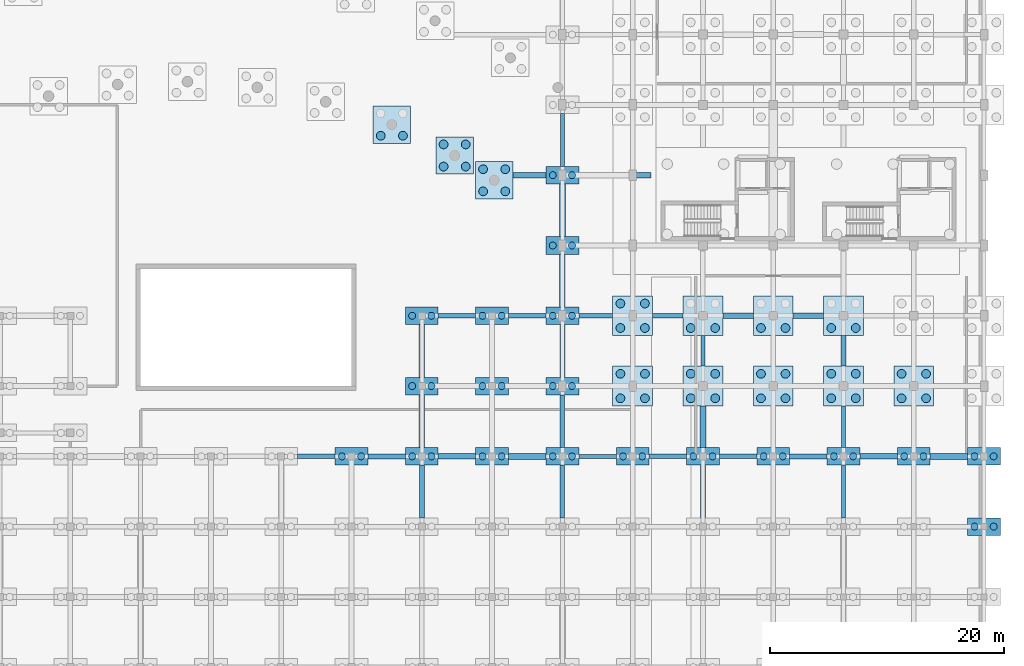
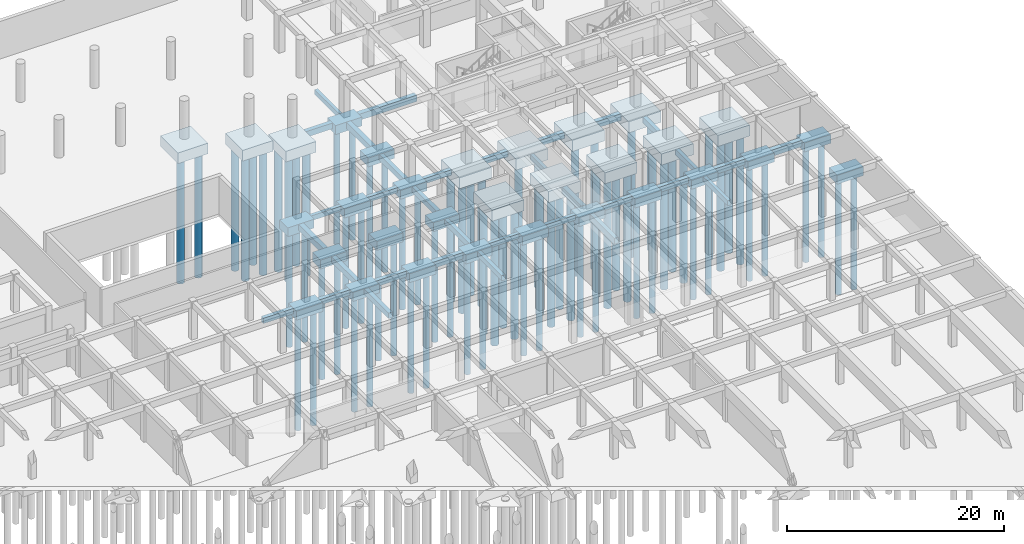
# One storey, part 12 of 41: 78 piles, 64 footings.
"""IFC4 building model written with IfcOpenShell, lengths in metres."""

import ifcopenshell
import ifcopenshell.guid

model = None  # the IFC model being written
_history = None  # IfcOwnerHistory: only IFC2X3 demands one
_inside = {}  # id of a spatial element -> (the spatial element, [elements in it])
_under = {}  # id of a project, library or spatial element -> (it, [spatial elements below it])
_declared = {}  # id of a project -> (the project, [libraries it declares])
_typed = {}  # id of a type object -> (the type object, [elements of that type])
_made_of = {}  # id of a material, layer set ... -> (it, [elements and type objects made of it])


def new_model(schema):
    """Start an empty IFC model of exactly this schema.

    Asked for "IFC4X3", IfcOpenShell would pick the latest addendum, in which some entities
    have other attributes; the version numbers below select the first issue.
    IFC2X3 requires an IfcOwnerHistory on every rooted entity: one is made here for all.
    """
    global model, _history
    if schema == "IFC4X3":
        model = ifcopenshell.file(schema_version=(4, 3, 0, 0))
    else:
        model = ifcopenshell.file(schema=schema)
    _inside.clear()
    _under.clear()
    _declared.clear()
    _typed.clear()
    _made_of.clear()
    _history = None
    if model.schema == "IFC2X3":
        org = make("IfcOrganization", Name="unknown")
        user = make(
            "IfcPersonAndOrganization",
            ThePerson=make("IfcPerson", FamilyName="unknown"),
            TheOrganization=org,
        )
        app = make(
            "IfcApplication",
            ApplicationDeveloper=org,
            Version="unknown",
            ApplicationFullName="unknown",
            ApplicationIdentifier="unknown",
        )
        _history = make(
            "IfcOwnerHistory",
            OwningUser=user,
            OwningApplication=app,
            ChangeAction="ADDED",
            CreationDate=0,
        )
    return model


def make(cls, **values):
    """One entity of the class cls with the attributes given. An attribute that is None is left unset."""
    return model.create_entity(
        cls, **{name: value for name, value in values.items() if value is not None}
    )


def rooted(cls, **values):
    """An entity with a GlobalId (a new one), such as an element, a storey or a relation."""
    return make(cls, GlobalId=ifcopenshell.guid.new(), OwnerHistory=_history, **values)


def si_unit(unit_type, name, prefix=None):
    """IfcSIUnit, for example si_unit("LENGTHUNIT", "METRE", prefix="MILLI")."""
    return make("IfcSIUnit", UnitType=unit_type, Prefix=prefix, Name=name)


def assignment(units):
    """IfcUnitAssignment: the units of a project."""
    return None if units is None else make("IfcUnitAssignment", Units=units)


def point(xyz):
    """IfcCartesianPoint."""
    return None if xyz is None else make("IfcCartesianPoint", Coordinates=xyz)


def direction(xyz):
    """IfcDirection."""
    return None if xyz is None else make("IfcDirection", DirectionRatios=xyz)


def frame(location, z_axis=None, x_axis=None):
    """IfcAxis2Placement3D, a coordinate frame: its origin and axes. An axis left out is left unset."""
    return make(
        "IfcAxis2Placement3D",
        Location=point(location),
        Axis=direction(z_axis),
        RefDirection=direction(x_axis),
    )


def frame_2d(location, x_axis=None):
    """IfcAxis2Placement2D, a coordinate frame in the plane: its origin and x axis."""
    return make(
        "IfcAxis2Placement2D", Location=point(location), RefDirection=direction(x_axis)
    )


def origin():
    """The frame at (0, 0, 0) with its axes left unset."""
    return frame((0.0, 0.0, 0.0))


def origin_2d():
    """The frame at (0, 0) in the plane with its x axis left unset."""
    return frame_2d((0.0, 0.0))


def place(relative_to, where):
    """IfcLocalPlacement: puts the frame where relative to a parent placement (None: the world)."""
    return make(
        "IfcLocalPlacement", PlacementRelTo=relative_to, RelativePlacement=where
    )


def context(
    kind, dimensions, precision=None, world=None, true_north=None, identifier=None
):
    """IfcGeometricRepresentationContext, for example the 3D "Model" context."""
    return make(
        "IfcGeometricRepresentationContext",
        ContextIdentifier=identifier,
        ContextType=kind,
        CoordinateSpaceDimension=dimensions,
        Precision=precision,
        WorldCoordinateSystem=world,
        TrueNorth=true_north,
    )


def subcontext(parent, identifier, kind, view, scale=None):
    """IfcGeometricRepresentationSubContext, for example "Body" below "Model"."""
    return make(
        "IfcGeometricRepresentationSubContext",
        ContextIdentifier=identifier,
        ContextType=kind,
        ParentContext=parent,
        TargetScale=scale,
        TargetView=view,
    )


def project(units=None, contexts=None):
    """IfcProject with its units and contexts."""
    return rooted(
        "IfcProject",
        Name="project",
        RepresentationContexts=contexts,
        UnitsInContext=assignment(units),
    )


def spatial(cls, under=None, at=None, **own):
    """A site, building, storey or space (cls), placed at a placement, below another one or the project."""
    s = rooted(cls, ObjectPlacement=at, **own)
    if under is not None:
        _under.setdefault(under.id(), (under, []))[1].append(s)
    return s


def polyline(points):
    """IfcPolyline through the points."""
    return make("IfcPolyline", Points=[point(p) for p in points])


def profile(cls, at=None, kind="AREA", **sizes):
    """A parametric profile (cls). Its sizes go by their IFC names, for example OverallWidth=200.0."""
    return make(cls, ProfileType=kind, Position=at, **sizes)


def rectangle(**sizes):
    """IfcRectangleProfileDef."""
    return profile("IfcRectangleProfileDef", **sizes)


def circle(**sizes):
    """IfcCircleProfileDef."""
    return profile("IfcCircleProfileDef", **sizes)


def outline(outer, holes=None, kind="AREA"):
    """IfcArbitraryClosedProfileDef: a profile drawn as a closed curve; with holes, ...WithVoids."""
    if holes is None:
        return make("IfcArbitraryClosedProfileDef", ProfileType=kind, OuterCurve=outer)
    return make(
        "IfcArbitraryProfileDefWithVoids",
        ProfileType=kind,
        OuterCurve=outer,
        InnerCurves=holes,
    )


def extrude(swept, where, along, depth):
    """IfcExtrudedAreaSolid: the profile swept, set in the frame where, extruded along a direction by depth."""
    return make(
        "IfcExtrudedAreaSolid",
        SweptArea=swept,
        Position=where,
        ExtrudedDirection=direction(along),
        Depth=depth,
    )


def shape(context_of_items, identifier, shape_type, items):
    """IfcShapeRepresentation: the items that make up one representation, for example the "Body"."""
    return make(
        "IfcShapeRepresentation",
        ContextOfItems=context_of_items,
        RepresentationIdentifier=identifier,
        RepresentationType=shape_type,
        Items=items,
    )


def material(Name=None, Category=None):
    """IfcMaterial."""
    return make("IfcMaterial", Name=Name, Category=Category)


def material_profile(
    of_material, cross_section, Name=None, Category=None, Priority=None
):
    """IfcMaterialProfile: a cross section and its material."""
    return make(
        "IfcMaterialProfile",
        Name=Name,
        Material=of_material,
        Profile=cross_section,
        Priority=Priority,
        Category=Category,
    )


def profile_set(profiles, Name=None, composite=None):
    """IfcMaterialProfileSet."""
    return make(
        "IfcMaterialProfileSet",
        Name=Name,
        MaterialProfiles=profiles,
        CompositeProfile=composite,
    )


def made_of(thing, what):
    """Note that an element or type object is made of a material, layer set ...; save() writes the relation."""
    if what is not None:
        _made_of.setdefault(what.id(), (what, []))[1].append(thing)
    return thing


def type_object(cls, material=None, **own):
    """A type object (cls), such as IfcWallType, which elements share."""
    return made_of(rooted(cls, **own), material)


def element(
    cls,
    number,
    at=None,
    inside=None,
    cuts=None,
    type_object=None,
    material=None,
    context=None,
    identifier="Body",
    shape_type=None,
    held_by="IfcProductDefinitionShape",
    body=None,
    shapes=None,
    **own,
):
    """One element of the class cls, such as IfcWall. Its Tag is "e" and its number.

    at: its placement. inside: the storey or other place that contains it. cuts: it is an
    opening in that element (IfcRelVoidsElement). A single representation is given by context,
    identifier, shape_type and body (its items); several are given by shapes. held_by: the class
    of the entity that holds the representations. save() writes the other relations.
    """
    e = rooted(cls, Tag="e%d" % number, ObjectPlacement=at, **own)
    if body is not None:
        shapes = [shape(context, identifier, shape_type, body)]
    if shapes is not None:
        e.Representation = make(held_by, Representations=shapes)
    if inside is not None:
        _inside.setdefault(inside.id(), (inside, []))[1].append(e)
    if cuts is not None:
        rooted(
            "IfcRelVoidsElement", RelatingBuildingElement=cuts, RelatedOpeningElement=e
        )
    if type_object is not None:
        _typed.setdefault(type_object.id(), (type_object, []))[1].append(e)
    return made_of(e, material)


def aggregate(whole, parts):
    """IfcRelAggregates: a whole, such as a stair, and the parts it consists of."""
    return rooted("IfcRelAggregates", RelatingObject=whole, RelatedObjects=parts)


def save(model, path):
    """Write the relations noted so far, then the file.

    IfcRelAggregates (storeys below a building ...), IfcRelContainedInSpatialStructure (elements
    in a storey), IfcRelDefinesByType, IfcRelAssociatesMaterial and IfcRelDeclares: one each for
    every whole, place, type object, material and project.
    """
    for whole, parts in _under.values():
        aggregate(whole, parts)
    for where, things in _inside.values():
        rooted(
            "IfcRelContainedInSpatialStructure",
            RelatedElements=things,
            RelatingStructure=where,
        )
    for kind, things in _typed.values():
        rooted("IfcRelDefinesByType", RelatedObjects=things, RelatingType=kind)
    for what, things in _made_of.values():
        rooted("IfcRelAssociatesMaterial", RelatedObjects=things, RelatingMaterial=what)
    for by, libraries in _declared.values():
        rooted("IfcRelDeclares", RelatingContext=by, RelatedDefinitions=libraries)
    model.write(path)


model = new_model("IFC4")

# Units and contexts
model_context = context("Model", 3, precision=1e-05, world=origin(), true_north=direction((0.0, 1.0)))
body_context = subcontext(model_context, "Body", "Model", "MODEL_VIEW")
ifc_project = project(units=[si_unit("LENGTHUNIT", "METRE"), si_unit("AREAUNIT", "SQUARE_METRE"), si_unit("VOLUMEUNIT", "CUBIC_METRE"), si_unit("PLANEANGLEUNIT", "RADIAN"), si_unit("MASSUNIT", "GRAM", prefix="KILO"), si_unit("POWERUNIT", "WATT"), si_unit("THERMODYNAMICTEMPERATUREUNIT", "KELVIN")], contexts=[model_context])

# Site, building, storey
site_placement = place(None, origin())
site = spatial("IfcSite", under=ifc_project, at=site_placement, CompositionType="ELEMENT")
building_placement = place(site_placement, origin())
building = spatial("IfcBuilding", under=site, at=building_placement, Name="Ruvembo Vaulted Housing Court", CompositionType="ELEMENT")
storey_placement = place(building_placement, frame((0.0, 0.0, -4.5)))
storey = spatial("IfcBuildingStorey", under=building, at=storey_placement, Name="B1", CompositionType="ELEMENT", Elevation=-4.5)

# Footings
ifc_material_1 = material(Name="Concrete C30/37", Category="concrete")
footing_type_1 = type_object("IfcFootingType", Name="GB-350x550", PredefinedType="FOOTING_BEAM", material=ifc_material_1)
footing_1_placement = place(storey_placement, frame((0.0, 0.0, -0.85009765625)))
element("IfcFooting", 1, at=footing_1_placement, inside=storey, type_object=footing_type_1, Name="Ground Tie Beam GB-132", PredefinedType="FOOTING_BEAM", context=body_context, shape_type="SweptSolid", body=[
    extrude(outline(polyline([(151.39990234375, 65.824951171875), (154.60009765625, 65.824951171875), (154.60009765625, 66.175048828125), (151.39990234375, 66.175048828125), (151.39990234375, 65.824951171875)])), origin(), (0.0, 0.0, 1.0), 0.550048828125),
])
footing_2_placement = place(storey_placement, frame((0.0, 0.0, -0.85009765625)))
element("IfcFooting", 2, at=footing_2_placement, inside=storey, type_object=footing_type_1, Name="Ground Tie Beam GB-156", PredefinedType="FOOTING_BEAM", context=body_context, shape_type="SweptSolid", body=[
    extrude(outline(polyline([(139.39990234375, 77.824951171875), (142.60009765625, 77.824951171875), (142.60009765625, 78.175048828125), (139.39990234375, 78.175048828125), (139.39990234375, 77.824951171875)])), origin(), (0.0, 0.0, 1.0), 0.550048828125),
])
footing_3_placement = place(storey_placement, frame((0.0, 0.0, -0.85009765625)))
element("IfcFooting", 3, at=footing_3_placement, inside=storey, type_object=footing_type_1, Name="Ground Tie Beam GB-318", PredefinedType="FOOTING_BEAM", context=body_context, shape_type="SweptSolid", body=[
    extrude(outline(polyline([(149.824951171875, 90.75), (150.175048828125, 90.75), (150.175048828125, 95.25), (149.824951171875, 95.25), (149.824951171875, 90.75)])), origin(), (0.0, 0.0, 1.0), 0.550048828125),
])
footing_4_placement = place(storey_placement, frame((0.0, 0.0, -0.85009765625)))
element("IfcFooting", 4, at=footing_4_placement, inside=storey, type_object=footing_type_1, Name="Ground Tie Beam GB-330", PredefinedType="FOOTING_BEAM", context=body_context, shape_type="SweptSolid", body=[
    extrude(outline(polyline([(161.824951171875, 73.699951171875), (162.175048828125, 73.699951171875), (162.175048828125, 76.300048828125), (161.824951171875, 76.300048828125), (161.824951171875, 73.699951171875)])), origin(), (0.0, 0.0, 1.0), 0.550048828125),
])
footing_5_placement = place(storey_placement, frame((0.0, 0.0, -0.85009765625)))
element("IfcFooting", 5, at=footing_5_placement, inside=storey, type_object=footing_type_1, Name="Ground Tie Beam GB-342", PredefinedType="FOOTING_BEAM", context=body_context, shape_type="SweptSolid", body=[
    extrude(outline(polyline([(173.824951171875, 60.75), (174.175048828125, 60.75), (174.175048828125, 65.25), (173.824951171875, 65.25), (173.824951171875, 60.75)])), origin(), (0.0, 0.0, 1.0), 0.550048828125),
])
footing_type_2 = type_object("IfcFootingType", Name="GB-380x580", PredefinedType="FOOTING_BEAM", material=ifc_material_1)
footing_6_placement = place(storey_placement, frame((0.0, 0.0, -0.8798828125)))
element("IfcFooting", 6, at=footing_6_placement, inside=storey, type_object=footing_type_2, Name="Ground Tie Beam GB-133", PredefinedType="FOOTING_BEAM", context=body_context, shape_type="SweptSolid", body=[
    extrude(outline(polyline([(157.39990234375, 65.81005859375), (160.60009765625, 65.81005859375), (160.60009765625, 66.18994140625), (157.39990234375, 66.18994140625), (157.39990234375, 65.81005859375)])), origin(), (0.0, 0.0, 1.0), 0.579833984375),
])
footing_7_placement = place(storey_placement, frame((0.0, 0.0, -0.8798828125)))
element("IfcFooting", 7, at=footing_7_placement, inside=storey, type_object=footing_type_2, Name="Ground Tie Beam GB-157", PredefinedType="FOOTING_BEAM", context=body_context, shape_type="SweptSolid", body=[
    extrude(outline(polyline([(145.39990234375, 77.81005859375), (148.60009765625, 77.81005859375), (148.60009765625, 78.18994140625), (145.39990234375, 78.18994140625), (145.39990234375, 77.81005859375)])), origin(), (0.0, 0.0, 1.0), 0.579833984375),
])
footing_8_placement = place(storey_placement, frame((0.0, 0.0, -0.8798828125)))
element("IfcFooting", 8, at=footing_8_placement, inside=storey, type_object=footing_type_2, Name="Ground Tie Beam GB-313", PredefinedType="FOOTING_BEAM", context=body_context, shape_type="SweptSolid", body=[
    extrude(outline(polyline([(149.81005859375, 60.75), (150.18994140625, 60.75), (150.18994140625, 65.25), (149.81005859375, 65.25), (149.81005859375, 60.75)])), origin(), (0.0, 0.0, 1.0), 0.579833984375),
])
footing_9_placement = place(storey_placement, frame((0.0, 0.0, -0.8798828125)))
element("IfcFooting", 9, at=footing_9_placement, inside=storey, type_object=footing_type_2, Name="Ground Tie Beam GB-343", PredefinedType="FOOTING_BEAM", context=body_context, shape_type="SweptSolid", body=[
    extrude(outline(polyline([(173.81005859375, 66.75), (174.18994140625, 66.75), (174.18994140625, 70.300048828125), (173.81005859375, 70.300048828125), (173.81005859375, 66.75)])), origin(), (0.0, 0.0, 1.0), 0.579833984375),
])
footing_type_3 = type_object("IfcFootingType", Name="GB-400x600", PredefinedType="FOOTING_BEAM", material=ifc_material_1)
footing_10_placement = place(storey_placement, frame((0.0, 0.0, -0.89990234375)))
element("IfcFooting", 10, at=footing_10_placement, inside=storey, type_object=footing_type_3, Name="Ground Tie Beam GB-128", PredefinedType="FOOTING_BEAM", context=body_context, shape_type="SweptSolid", body=[
    extrude(outline(polyline([(127.39990234375, 65.800048828125), (130.60009765625, 65.800048828125), (130.60009765625, 66.199951171875), (127.39990234375, 66.199951171875), (127.39990234375, 65.800048828125)])), origin(), (0.0, 0.0, 1.0), 0.599853515625),
])
footing_11_placement = place(storey_placement, frame((0.0, 0.0, -0.89990234375)))
element("IfcFooting", 11, at=footing_11_placement, inside=storey, type_object=footing_type_3, Name="Ground Tie Beam GB-134", PredefinedType="FOOTING_BEAM", context=body_context, shape_type="SweptSolid", body=[
    extrude(outline(polyline([(163.39990234375, 65.800048828125), (166.60009765625, 65.800048828125), (166.60009765625, 66.199951171875), (163.39990234375, 66.199951171875), (163.39990234375, 65.800048828125)])), origin(), (0.0, 0.0, 1.0), 0.599853515625),
])
footing_12_placement = place(storey_placement, frame((0.0, 0.0, -0.89990234375)))
element("IfcFooting", 12, at=footing_12_placement, inside=storey, type_object=footing_type_3, Name="Ground Tie Beam GB-158", PredefinedType="FOOTING_BEAM", context=body_context, shape_type="SweptSolid", body=[
    extrude(outline(polyline([(151.39990234375, 77.800048828125), (154.300048828125, 77.800048828125), (154.300048828125, 78.199951171875), (151.39990234375, 78.199951171875), (151.39990234375, 77.800048828125)])), origin(), (0.0, 0.0, 1.0), 0.599853515625),
])
footing_13_placement = place(storey_placement, frame((0.0, 0.0, -0.89990234375)))
element("IfcFooting", 13, at=footing_13_placement, inside=storey, type_object=footing_type_3, Name="Ground Tie Beam GB-314", PredefinedType="FOOTING_BEAM", context=body_context, shape_type="SweptSolid", body=[
    extrude(outline(polyline([(149.800048828125, 66.75), (150.199951171875, 66.75), (150.199951171875, 71.25), (149.800048828125, 71.25), (149.800048828125, 66.75)])), origin(), (0.0, 0.0, 1.0), 0.599853515625),
])
footing_14_placement = place(storey_placement, frame((0.0, 0.0, -0.89990234375)))
element("IfcFooting", 14, at=footing_14_placement, inside=storey, type_object=footing_type_3, Name="Ground Tie Beam GB-344", PredefinedType="FOOTING_BEAM", context=body_context, shape_type="SweptSolid", body=[
    extrude(outline(polyline([(173.800048828125, 73.699951171875), (174.199951171875, 73.699951171875), (174.199951171875, 76.300048828125), (173.800048828125, 76.300048828125), (173.800048828125, 73.699951171875)])), origin(), (0.0, 0.0, 1.0), 0.599853515625),
])
footing_type_4 = type_object("IfcFootingType", Name="GB-420x620", PredefinedType="FOOTING_BEAM", material=ifc_material_1)
footing_15_placement = place(storey_placement, frame((0.0, 0.0, -0.919921875)))
element("IfcFooting", 15, at=footing_15_placement, inside=storey, type_object=footing_type_4, Name="Ground Tie Beam GB-129", PredefinedType="FOOTING_BEAM", context=body_context, shape_type="SweptSolid", body=[
    extrude(outline(polyline([(133.39990234375, 65.7900390625), (136.60009765625, 65.7900390625), (136.60009765625, 66.2099609375), (133.39990234375, 66.2099609375), (133.39990234375, 65.7900390625)])), origin(), (0.0, 0.0, 1.0), 0.619873046875),
])
footing_16_placement = place(storey_placement, frame((0.0, 0.0, -0.919921875)))
element("IfcFooting", 16, at=footing_16_placement, inside=storey, type_object=footing_type_4, Name="Ground Tie Beam GB-135", PredefinedType="FOOTING_BEAM", context=body_context, shape_type="SweptSolid", body=[
    extrude(outline(polyline([(169.39990234375, 65.7900390625), (172.60009765625, 65.7900390625), (172.60009765625, 66.2099609375), (169.39990234375, 66.2099609375), (169.39990234375, 65.7900390625)])), origin(), (0.0, 0.0, 1.0), 0.619873046875),
])
footing_17_placement = place(storey_placement, frame((0.0, 0.0, -0.919921875)))
element("IfcFooting", 17, at=footing_17_placement, inside=storey, type_object=footing_type_4, Name="Ground Tie Beam GB-159", PredefinedType="FOOTING_BEAM", context=body_context, shape_type="SweptSolid", body=[
    extrude(outline(polyline([(157.699951171875, 77.7900390625), (160.300048828125, 77.7900390625), (160.300048828125, 78.2099609375), (157.699951171875, 78.2099609375), (157.699951171875, 77.7900390625)])), origin(), (0.0, 0.0, 1.0), 0.619873046875),
])
footing_18_placement = place(storey_placement, frame((0.0, 0.0, -0.919921875)))
element("IfcFooting", 18, at=footing_18_placement, inside=storey, type_object=footing_type_4, Name="Ground Tie Beam GB-303", PredefinedType="FOOTING_BEAM", context=body_context, shape_type="SweptSolid", body=[
    extrude(outline(polyline([(137.7900390625, 60.75), (138.2099609375, 60.75), (138.2099609375, 65.25), (137.7900390625, 65.25), (137.7900390625, 60.75)])), origin(), (0.0, 0.0, 1.0), 0.619873046875),
])
footing_19_placement = place(storey_placement, frame((0.0, 0.0, -0.919921875)))
element("IfcFooting", 19, at=footing_19_placement, inside=storey, type_object=footing_type_4, Name="Ground Tie Beam GB-315", PredefinedType="FOOTING_BEAM", context=body_context, shape_type="SweptSolid", body=[
    extrude(outline(polyline([(149.7900390625, 72.75), (150.2099609375, 72.75), (150.2099609375, 77.25), (149.7900390625, 77.25), (149.7900390625, 72.75)])), origin(), (0.0, 0.0, 1.0), 0.619873046875),
])
footing_type_5 = type_object("IfcFootingType", Name="GB-450x650", PredefinedType="FOOTING_BEAM", material=ifc_material_1)
footing_20_placement = place(storey_placement, frame((0.0, 0.0, -0.949951171875)))
element("IfcFooting", 20, at=footing_20_placement, inside=storey, type_object=footing_type_5, Name="Ground Tie Beam GB-130", PredefinedType="FOOTING_BEAM", context=body_context, shape_type="SweptSolid", body=[
    extrude(outline(polyline([(139.39990234375, 65.77490234375), (142.60009765625, 65.77490234375), (142.60009765625, 66.22509765625), (139.39990234375, 66.22509765625), (139.39990234375, 65.77490234375)])), origin(), (0.0, 0.0, 1.0), 0.64990234375),
])
footing_21_placement = place(storey_placement, frame((0.0, 0.0, -0.949951171875)))
element("IfcFooting", 21, at=footing_21_placement, inside=storey, type_object=footing_type_5, Name="Ground Tie Beam GB-136", PredefinedType="FOOTING_BEAM", context=body_context, shape_type="SweptSolid", body=[
    extrude(outline(polyline([(175.39990234375, 65.77490234375), (178.60009765625, 65.77490234375), (178.60009765625, 66.22509765625), (175.39990234375, 66.22509765625), (175.39990234375, 65.77490234375)])), origin(), (0.0, 0.0, 1.0), 0.64990234375),
])
footing_22_placement = place(storey_placement, frame((0.0, 0.0, -0.949951171875)))
element("IfcFooting", 22, at=footing_22_placement, inside=storey, type_object=footing_type_5, Name="Ground Tie Beam GB-160", PredefinedType="FOOTING_BEAM", context=body_context, shape_type="SweptSolid", body=[
    extrude(outline(polyline([(163.699951171875, 77.77490234375), (166.300048828125, 77.77490234375), (166.300048828125, 78.22509765625), (163.699951171875, 78.22509765625), (163.699951171875, 77.77490234375)])), origin(), (0.0, 0.0, 1.0), 0.64990234375),
])
footing_23_placement = place(storey_placement, frame((0.0, 0.0, -0.949951171875)))
element("IfcFooting", 23, at=footing_23_placement, inside=storey, type_object=footing_type_5, Name="Ground Tie Beam GB-166", PredefinedType="FOOTING_BEAM", context=body_context, shape_type="SweptSolid", body=[
    extrude(outline(polyline([(145.7783203125, 89.77490234375), (148.60009765625, 89.77490234375), (148.60009765625, 90.22509765625), (145.7783203125, 90.22509765625), (145.7783203125, 89.77490234375)])), origin(), (0.0, 0.0, 1.0), 0.64990234375),
])
footing_24_placement = place(storey_placement, frame((0.0, 0.0, -0.949951171875)))
element("IfcFooting", 24, at=footing_24_placement, inside=storey, type_object=footing_type_5, Name="Ground Tie Beam GB-304", PredefinedType="FOOTING_BEAM", context=body_context, shape_type="SweptSolid", body=[
    extrude(outline(polyline([(137.77490234375, 66.75), (138.22509765625, 66.75), (138.22509765625, 71.25), (137.77490234375, 71.25), (137.77490234375, 66.75)])), origin(), (0.0, 0.0, 1.0), 0.64990234375),
])
footing_25_placement = place(storey_placement, frame((0.0, 0.0, -0.949951171875)))
element("IfcFooting", 25, at=footing_25_placement, inside=storey, type_object=footing_type_5, Name="Ground Tie Beam GB-316", PredefinedType="FOOTING_BEAM", context=body_context, shape_type="SweptSolid", body=[
    extrude(outline(polyline([(149.77490234375, 78.75), (150.22509765625, 78.75), (150.22509765625, 83.25), (149.77490234375, 83.25), (149.77490234375, 78.75)])), origin(), (0.0, 0.0, 1.0), 0.64990234375),
])
footing_26_placement = place(storey_placement, frame((0.0, 0.0, -0.949951171875)))
element("IfcFooting", 26, at=footing_26_placement, inside=storey, type_object=footing_type_5, Name="Ground Tie Beam GB-328", PredefinedType="FOOTING_BEAM", context=body_context, shape_type="SweptSolid", body=[
    extrude(outline(polyline([(161.77490234375, 60.75), (162.22509765625, 60.75), (162.22509765625, 65.25), (161.77490234375, 65.25), (161.77490234375, 60.75)])), origin(), (0.0, 0.0, 1.0), 0.64990234375),
])
footing_type_6 = type_object("IfcFootingType", Name="GB-500x700", PredefinedType="FOOTING_BEAM", material=ifc_material_1)
footing_27_placement = place(storey_placement, frame((0.0, 0.0, -1.0)))
element("IfcFooting", 27, at=footing_27_placement, inside=storey, type_object=footing_type_6, Name="Ground Tie Beam GB-131", PredefinedType="FOOTING_BEAM", context=body_context, shape_type="SweptSolid", body=[
    extrude(outline(polyline([(145.39990234375, 65.75), (148.60009765625, 65.75), (148.60009765625, 66.25), (145.39990234375, 66.25), (145.39990234375, 65.75)])), origin(), (0.0, 0.0, 1.0), 0.699951171875),
])
footing_28_placement = place(storey_placement, frame((0.0, 0.0, -1.0)))
element("IfcFooting", 28, at=footing_28_placement, inside=storey, type_object=footing_type_6, Name="Ground Tie Beam GB-137", PredefinedType="FOOTING_BEAM", context=body_context, shape_type="SweptSolid", body=[
    extrude(outline(polyline([(181.39990234375, 65.75), (184.60009765625, 65.75), (184.60009765625, 66.25), (181.39990234375, 66.25), (181.39990234375, 65.75)])), origin(), (0.0, 0.0, 1.0), 0.699951171875),
])
footing_29_placement = place(storey_placement, frame((0.0, 0.0, -1.0)))
element("IfcFooting", 29, at=footing_29_placement, inside=storey, type_object=footing_type_6, Name="Ground Tie Beam GB-161", PredefinedType="FOOTING_BEAM", context=body_context, shape_type="SweptSolid", body=[
    extrude(outline(polyline([(169.699951171875, 77.75), (172.300048828125, 77.75), (172.300048828125, 78.25), (169.699951171875, 78.25), (169.699951171875, 77.75)])), origin(), (0.0, 0.0, 1.0), 0.699951171875),
])
footing_30_placement = place(storey_placement, frame((0.0, 0.0, -1.0)))
element("IfcFooting", 30, at=footing_30_placement, inside=storey, type_object=footing_type_6, Name="Ground Tie Beam GB-167", PredefinedType="FOOTING_BEAM", context=body_context, shape_type="SweptSolid", body=[
    extrude(outline(polyline([(151.39990234375, 89.75), (157.550048828125, 89.75), (157.550048828125, 90.25), (151.39990234375, 90.25), (151.39990234375, 89.75)])), origin(), (0.0, 0.0, 1.0), 0.699951171875),
])
footing_31_placement = place(storey_placement, frame((0.0, 0.0, -1.0)))
element("IfcFooting", 31, at=footing_31_placement, inside=storey, type_object=footing_type_6, Name="Ground Tie Beam GB-305", PredefinedType="FOOTING_BEAM", context=body_context, shape_type="SweptSolid", body=[
    extrude(outline(polyline([(137.75, 72.75), (138.25, 72.75), (138.25, 77.25), (137.75, 77.25), (137.75, 72.75)])), origin(), (0.0, 0.0, 1.0), 0.699951171875),
])
footing_32_placement = place(storey_placement, frame((0.0, 0.0, -1.0)))
element("IfcFooting", 32, at=footing_32_placement, inside=storey, type_object=footing_type_6, Name="Ground Tie Beam GB-317", PredefinedType="FOOTING_BEAM", context=body_context, shape_type="SweptSolid", body=[
    extrude(outline(polyline([(149.75, 84.75), (150.25, 84.75), (150.25, 89.25), (149.75, 89.25), (149.75, 84.75)])), origin(), (0.0, 0.0, 1.0), 0.699951171875),
])
footing_33_placement = place(storey_placement, frame((0.0, 0.0, -1.0)))
element("IfcFooting", 33, at=footing_33_placement, inside=storey, type_object=footing_type_6, Name="Ground Tie Beam GB-329", PredefinedType="FOOTING_BEAM", context=body_context, shape_type="SweptSolid", body=[
    extrude(outline(polyline([(161.75, 66.75), (162.25, 66.75), (162.25, 70.300048828125), (161.75, 70.300048828125), (161.75, 66.75)])), origin(), (0.0, 0.0, 1.0), 0.699951171875),
])
ifc_material_2 = material(Name="Concrete C35/45", Category="concrete")
footing_type_7 = type_object("IfcFootingType", Name="PC-2P-A", PredefinedType="PILE_CAP", material=ifc_material_2)
for number, where, z_axis, x_axis, name in (
    (34, (132.0, 66.0, -1.300048828125), (0.0, 0.0, 1.0), (1.0, 0.0, 0.0), "Pile Cap PC1 #267"),
    (35, (138.0, 66.0, -1.300048828125), (0.0, 0.0, 1.0), (1.0, 0.0, 0.0), "Pile Cap PC1 #279"),
    (36, (138.0, 72.0, -1.300048828125), (0.0, 0.0, 1.0), (1.0, 0.0, 0.0), "Pile Cap PC1 #280"),
    (37, (138.0, 78.0, -1.300048828125), (0.0, 0.0, 1.0), (1.0, 0.0, 0.0), "Pile Cap PC1 #281"),
    (38, (144.0, 66.0, -1.300048828125), (0.0, 0.0, 1.0), (1.0, 0.0, 0.0), "Pile Cap PC1 #290"),
    (39, (144.0, 72.0, -1.300048828125), (0.0, 0.0, 1.0), (1.0, 0.0, 0.0), "Pile Cap PC1 #291"),
    (40, (144.0, 78.0, -1.300048828125), (0.0, 0.0, 1.0), (1.0, 0.0, 0.0), "Pile Cap PC1 #292"),
    (41, (150.0, 66.0, -1.300048828125), (0.0, 0.0, 1.0), (1.0, 0.0, 0.0), "Pile Cap PC1 #301"),
    (42, (150.0, 72.0, -1.300048828125), (0.0, 0.0, 1.0), (1.0, 0.0, 0.0), "Pile Cap PC1 #302"),
    (43, (150.0, 78.0, -1.300048828125), (0.0, 0.0, 1.0), (1.0, 0.0, 0.0), "Pile Cap PC1 #303"),
    (44, (150.0, 84.0, -1.300048828125), (0.0, 0.0, 1.0), (1.0, 0.0, 0.0), "Pile Cap PC1 #304"),
    (45, (150.0, 90.0, -1.300048828125), (0.0, 0.0, 1.0), (1.0, 0.0, 0.0), "Pile Cap PC1 #305"),
    (46, (156.0, 66.0, -1.300048828125), (0.0, 0.0, 1.0), (1.0, 0.0, 0.0), "Pile Cap PC1 #317"),
    (47, (162.0, 66.0, -1.300048828125), (0.0, 0.0, 1.0), (1.0, 0.0, 0.0), "Pile Cap PC1 #331"),
    (48, (168.0, 66.0, -1.300048828125), (0.0, 0.0, 1.0), (1.0, 0.0, 0.0), "Pile Cap PC1 #345"),
    (49, (174.0, 66.0, -1.300048828125), (0.0, 0.0, 1.0), (1.0, 0.0, 0.0), "Pile Cap PC1 #359"),
    (50, (180.0, 66.0, -1.300048828125), (0.0, 0.0, 1.0), (1.0, 0.0, 0.0), "Pile Cap PC1 #373"),
    (51, (186.0, 60.0, -1.300048828125), (0.0, 0.0, 1.0), (1.0, 0.0, 0.0), "Pile Cap PC1 #386"),
    (52, (186.0, 66.0, -1.300048828125), (0.0, 0.0, 1.0), (1.0, 0.0, 0.0), "Pile Cap PC1 #387"),
):
    element("IfcFooting", number, at=place(storey_placement, frame(where, z_axis=z_axis, x_axis=x_axis)), inside=storey, type_object=footing_type_7, Name=name, PredefinedType="PILE_CAP", context=body_context, shape_type="SweptSolid", body=[
        extrude(rectangle(XDim=2.800048828125, YDim=1.5, at=origin_2d()), origin(), (0.0, 0.0, 1.0), 1.0),
    ])
footing_type_8 = type_object("IfcFootingType", Name="PC-4P-A", PredefinedType="PILE_CAP", material=ifc_material_2)
for number, where, z_axis, x_axis, name in (
    (53, (135.44189453125, 94.31591796875, -1.5), (0.0, 0.0, 1.0), (1.0, 0.0, 0.0), "Pile Cap PC4 #438"),
    (54, (140.8037109375, 91.681884765625, -1.5), (0.0, 0.0, 1.0), (1.0, 0.0, 0.0), "Pile Cap PC4 #440"),
    (55, (144.17822265625, 89.564453125, -1.5), (0.0, 0.0, 1.0), (1.0, 0.0, 0.0), "Pile Cap PC4 #442"),
):
    element("IfcFooting", number, at=place(storey_placement, frame(where, z_axis=z_axis, x_axis=x_axis)), inside=storey, type_object=footing_type_8, Name=name, PredefinedType="PILE_CAP", context=body_context, shape_type="SweptSolid", body=[
        extrude(rectangle(XDim=3.199951171875, YDim=3.199951171875, at=origin_2d()), origin(), (0.0, 0.0, 1.0), 1.199951171875),
    ])
footing_type_9 = type_object("IfcFootingType", Name="PC-4P-B", PredefinedType="PILE_CAP", material=ifc_material_2)
for number, where, z_axis, x_axis, name in (
    (56, (156.0, 72.0, -1.550048828125), (0.0, 0.0, 1.0), (1.0, 0.0, 0.0), "Pile Cap PC5 #318"),
    (57, (156.0, 78.0, -1.550048828125), (0.0, 0.0, 1.0), (1.0, 0.0, 0.0), "Pile Cap PC5 #319"),
    (58, (162.0, 72.0, -1.550048828125), (0.0, 0.0, 1.0), (1.0, 0.0, 0.0), "Pile Cap PC5 #332"),
    (59, (162.0, 78.0, -1.550048828125), (0.0, 0.0, 1.0), (1.0, 0.0, 0.0), "Pile Cap PC5 #333"),
    (60, (168.0, 72.0, -1.550048828125), (0.0, 0.0, 1.0), (1.0, 0.0, 0.0), "Pile Cap PC5 #346"),
    (61, (168.0, 78.0, -1.550048828125), (0.0, 0.0, 1.0), (1.0, 0.0, 0.0), "Pile Cap PC5 #347"),
    (62, (174.0, 72.0, -1.550048828125), (0.0, 0.0, 1.0), (1.0, 0.0, 0.0), "Pile Cap PC5 #360"),
    (63, (174.0, 78.0, -1.550048828125), (0.0, 0.0, 1.0), (1.0, 0.0, 0.0), "Pile Cap PC5 #361"),
    (64, (180.0, 72.0, -1.550048828125), (0.0, 0.0, 1.0), (1.0, 0.0, 0.0), "Pile Cap PC5 #374"),
):
    element("IfcFooting", number, at=place(storey_placement, frame(where, z_axis=z_axis, x_axis=x_axis)), inside=storey, type_object=footing_type_9, Name=name, PredefinedType="PILE_CAP", context=body_context, shape_type="SweptSolid", body=[
        extrude(rectangle(XDim=3.39990234375, YDim=3.39990234375, at=origin_2d()), origin(), (0.0, 0.0, 1.0), 1.25),
    ])

# Piles
ifc_material_profile_1 = material_profile(ifc_material_1, circle(Radius=0.300048828125, at=origin_2d()), Name="PILE D600")
ifc_profile_set_1 = profile_set([ifc_material_profile_1], Name="Concrete C30/37")
pile_type_1 = type_object("IfcPileType", Name="PILE-BORED-600", PredefinedType="BORED", material=ifc_profile_set_1)
for number, where, z_axis, x_axis, name in (
    (65, (131.179931640625, 66.0, -1.199951171875), (0.0, 0.0, -1.0), (1.0, 0.0, 0.0), "Bored Pile PILE-0743"),
    (66, (132.820068359375, 66.0, -1.199951171875), (0.0, 0.0, -1.0), (1.0, 0.0, 0.0), "Bored Pile PILE-0744"),
    (67, (137.179931640625, 66.0, -1.199951171875), (0.0, 0.0, -1.0), (1.0, 0.0, 0.0), "Bored Pile PILE-0781"),
    (68, (138.820068359375, 66.0, -1.199951171875), (0.0, 0.0, -1.0), (1.0, 0.0, 0.0), "Bored Pile PILE-0782"),
    (69, (137.179931640625, 72.0, -1.199951171875), (0.0, 0.0, -1.0), (1.0, 0.0, 0.0), "Bored Pile PILE-0783"),
    (70, (138.820068359375, 72.0, -1.199951171875), (0.0, 0.0, -1.0), (1.0, 0.0, 0.0), "Bored Pile PILE-0784"),
    (71, (137.179931640625, 78.0, -1.199951171875), (0.0, 0.0, -1.0), (1.0, 0.0, 0.0), "Bored Pile PILE-0785"),
    (72, (138.820068359375, 78.0, -1.199951171875), (0.0, 0.0, -1.0), (1.0, 0.0, 0.0), "Bored Pile PILE-0786"),
    (73, (143.179931640625, 66.0, -1.199951171875), (0.0, 0.0, -1.0), (1.0, 0.0, 0.0), "Bored Pile PILE-0803"),
    (74, (144.820068359375, 66.0, -1.199951171875), (0.0, 0.0, -1.0), (1.0, 0.0, 0.0), "Bored Pile PILE-0804"),
    (75, (143.179931640625, 72.0, -1.199951171875), (0.0, 0.0, -1.0), (1.0, 0.0, 0.0), "Bored Pile PILE-0805"),
    (76, (144.820068359375, 72.0, -1.199951171875), (0.0, 0.0, -1.0), (1.0, 0.0, 0.0), "Bored Pile PILE-0806"),
    (77, (143.179931640625, 78.0, -1.199951171875), (0.0, 0.0, -1.0), (1.0, 0.0, 0.0), "Bored Pile PILE-0807"),
    (78, (144.820068359375, 78.0, -1.199951171875), (0.0, 0.0, -1.0), (1.0, 0.0, 0.0), "Bored Pile PILE-0808"),
    (79, (149.179931640625, 66.0, -1.199951171875), (0.0, 0.0, -1.0), (1.0, 0.0, 0.0), "Bored Pile PILE-0825"),
    (80, (150.820068359375, 66.0, -1.199951171875), (0.0, 0.0, -1.0), (1.0, 0.0, 0.0), "Bored Pile PILE-0826"),
    (81, (149.179931640625, 72.0, -1.199951171875), (0.0, 0.0, -1.0), (1.0, 0.0, 0.0), "Bored Pile PILE-0827"),
    (82, (150.820068359375, 72.0, -1.199951171875), (0.0, 0.0, -1.0), (1.0, 0.0, 0.0), "Bored Pile PILE-0828"),
    (83, (149.179931640625, 78.0, -1.199951171875), (0.0, 0.0, -1.0), (1.0, 0.0, 0.0), "Bored Pile PILE-0829"),
    (84, (150.820068359375, 78.0, -1.199951171875), (0.0, 0.0, -1.0), (1.0, 0.0, 0.0), "Bored Pile PILE-0830"),
    (85, (149.179931640625, 84.0, -1.199951171875), (0.0, 0.0, -1.0), (1.0, 0.0, 0.0), "Bored Pile PILE-0831"),
    (86, (150.820068359375, 84.0, -1.199951171875), (0.0, 0.0, -1.0), (1.0, 0.0, 0.0), "Bored Pile PILE-0832"),
    (87, (149.179931640625, 90.0, -1.199951171875), (0.0, 0.0, -1.0), (1.0, 0.0, 0.0), "Bored Pile PILE-0833"),
    (88, (150.820068359375, 90.0, -1.199951171875), (0.0, 0.0, -1.0), (1.0, 0.0, 0.0), "Bored Pile PILE-0834"),
    (89, (155.179931640625, 66.0, -1.199951171875), (0.0, 0.0, -1.0), (1.0, 0.0, 0.0), "Bored Pile PILE-0857"),
    (90, (156.820068359375, 66.0, -1.199951171875), (0.0, 0.0, -1.0), (1.0, 0.0, 0.0), "Bored Pile PILE-0858"),
    (91, (161.179931640625, 66.0, -1.199951171875), (0.0, 0.0, -1.0), (1.0, 0.0, 0.0), "Bored Pile PILE-0893"),
    (92, (162.820068359375, 66.0, -1.199951171875), (0.0, 0.0, -1.0), (1.0, 0.0, 0.0), "Bored Pile PILE-0894"),
    (93, (167.179931640625, 66.0, -1.199951171875), (0.0, 0.0, -1.0), (1.0, 0.0, 0.0), "Bored Pile PILE-0929"),
    (94, (168.820068359375, 66.0, -1.199951171875), (0.0, 0.0, -1.0), (1.0, 0.0, 0.0), "Bored Pile PILE-0930"),
    (95, (173.179931640625, 66.0, -1.199951171875), (0.0, 0.0, -1.0), (1.0, 0.0, 0.0), "Bored Pile PILE-0965"),
    (96, (174.820068359375, 66.0, -1.199951171875), (0.0, 0.0, -1.0), (1.0, 0.0, 0.0), "Bored Pile PILE-0966"),
    (97, (179.179931640625, 66.0, -1.199951171875), (0.0, 0.0, -1.0), (1.0, 0.0, 0.0), "Bored Pile PILE-1001"),
    (98, (180.820068359375, 66.0, -1.199951171875), (0.0, 0.0, -1.0), (1.0, 0.0, 0.0), "Bored Pile PILE-1002"),
    (99, (185.179931640625, 60.0, -1.199951171875), (0.0, 0.0, -1.0), (1.0, 0.0, 0.0), "Bored Pile PILE-1035"),
    (100, (186.820068359375, 60.0, -1.199951171875), (0.0, 0.0, -1.0), (1.0, 0.0, 0.0), "Bored Pile PILE-1036"),
    (101, (185.179931640625, 66.0, -1.199951171875), (0.0, 0.0, -1.0), (1.0, 0.0, 0.0), "Bored Pile PILE-1037"),
    (102, (186.820068359375, 66.0, -1.199951171875), (0.0, 0.0, -1.0), (1.0, 0.0, 0.0), "Bored Pile PILE-1038"),
):
    element("IfcPile", number, at=place(storey_placement, frame(where, z_axis=z_axis, x_axis=x_axis)), inside=storey, type_object=pile_type_1, Name=name, PredefinedType="BORED", context=body_context, shape_type="SweptSolid", body=[
        extrude(circle(Radius=0.300048828125, at=origin_2d()), origin(), (0.0, 0.0, 1.0), 13.0),
    ])
ifc_material_profile_2 = material_profile(ifc_material_1, circle(Radius=0.375, at=origin_2d()), Name="PILE D750")
ifc_profile_set_2 = profile_set([ifc_material_profile_2], Name="Concrete C30/37")
pile_type_2 = type_object("IfcPileType", Name="PILE-BORED-750", PredefinedType="BORED", material=ifc_profile_set_2)
for number, where, z_axis, x_axis, name in (
    (103, (154.955078125, 70.955078125, -1.449951171875), (0.0, 0.0, -1.0), (1.0, 0.0, 0.0), "Bored Pile PILE-0859"),
    (104, (157.044921875, 70.955078125, -1.449951171875), (0.0, 0.0, -1.0), (1.0, 0.0, 0.0), "Bored Pile PILE-0860"),
    (105, (154.955078125, 73.044921875, -1.449951171875), (0.0, 0.0, -1.0), (1.0, 0.0, 0.0), "Bored Pile PILE-0861"),
    (106, (157.044921875, 73.044921875, -1.449951171875), (0.0, 0.0, -1.0), (1.0, 0.0, 0.0), "Bored Pile PILE-0862"),
    (107, (154.955078125, 76.955078125, -1.449951171875), (0.0, 0.0, -1.0), (1.0, 0.0, 0.0), "Bored Pile PILE-0863"),
    (108, (157.044921875, 76.955078125, -1.449951171875), (0.0, 0.0, -1.0), (1.0, 0.0, 0.0), "Bored Pile PILE-0864"),
    (109, (154.955078125, 79.044921875, -1.449951171875), (0.0, 0.0, -1.0), (1.0, 0.0, 0.0), "Bored Pile PILE-0865"),
    (110, (157.044921875, 79.044921875, -1.449951171875), (0.0, 0.0, -1.0), (1.0, 0.0, 0.0), "Bored Pile PILE-0866"),
    (111, (160.955078125, 70.955078125, -1.449951171875), (0.0, 0.0, -1.0), (1.0, 0.0, 0.0), "Bored Pile PILE-0895"),
    (112, (163.044921875, 70.955078125, -1.449951171875), (0.0, 0.0, -1.0), (1.0, 0.0, 0.0), "Bored Pile PILE-0896"),
    (113, (160.955078125, 73.044921875, -1.449951171875), (0.0, 0.0, -1.0), (1.0, 0.0, 0.0), "Bored Pile PILE-0897"),
    (114, (163.044921875, 73.044921875, -1.449951171875), (0.0, 0.0, -1.0), (1.0, 0.0, 0.0), "Bored Pile PILE-0898"),
    (115, (160.955078125, 76.955078125, -1.449951171875), (0.0, 0.0, -1.0), (1.0, 0.0, 0.0), "Bored Pile PILE-0899"),
    (116, (163.044921875, 76.955078125, -1.449951171875), (0.0, 0.0, -1.0), (1.0, 0.0, 0.0), "Bored Pile PILE-0900"),
    (117, (166.955078125, 70.955078125, -1.449951171875), (0.0, 0.0, -1.0), (1.0, 0.0, 0.0), "Bored Pile PILE-0931"),
    (118, (169.044921875, 70.955078125, -1.449951171875), (0.0, 0.0, -1.0), (1.0, 0.0, 0.0), "Bored Pile PILE-0932"),
    (119, (166.955078125, 73.044921875, -1.449951171875), (0.0, 0.0, -1.0), (1.0, 0.0, 0.0), "Bored Pile PILE-0933"),
    (120, (169.044921875, 73.044921875, -1.449951171875), (0.0, 0.0, -1.0), (1.0, 0.0, 0.0), "Bored Pile PILE-0934"),
    (121, (166.955078125, 76.955078125, -1.449951171875), (0.0, 0.0, -1.0), (1.0, 0.0, 0.0), "Bored Pile PILE-0935"),
    (122, (169.044921875, 76.955078125, -1.449951171875), (0.0, 0.0, -1.0), (1.0, 0.0, 0.0), "Bored Pile PILE-0936"),
    (123, (172.955078125, 70.955078125, -1.449951171875), (0.0, 0.0, -1.0), (1.0, 0.0, 0.0), "Bored Pile PILE-0967"),
    (124, (175.044921875, 70.955078125, -1.449951171875), (0.0, 0.0, -1.0), (1.0, 0.0, 0.0), "Bored Pile PILE-0968"),
    (125, (172.955078125, 73.044921875, -1.449951171875), (0.0, 0.0, -1.0), (1.0, 0.0, 0.0), "Bored Pile PILE-0969"),
    (126, (175.044921875, 73.044921875, -1.449951171875), (0.0, 0.0, -1.0), (1.0, 0.0, 0.0), "Bored Pile PILE-0970"),
    (127, (172.955078125, 76.955078125, -1.449951171875), (0.0, 0.0, -1.0), (1.0, 0.0, 0.0), "Bored Pile PILE-0971"),
    (128, (175.044921875, 76.955078125, -1.449951171875), (0.0, 0.0, -1.0), (1.0, 0.0, 0.0), "Bored Pile PILE-0972"),
    (129, (178.955078125, 70.955078125, -1.449951171875), (0.0, 0.0, -1.0), (1.0, 0.0, 0.0), "Bored Pile PILE-1003"),
    (130, (181.044921875, 70.955078125, -1.449951171875), (0.0, 0.0, -1.0), (1.0, 0.0, 0.0), "Bored Pile PILE-1004"),
    (131, (178.955078125, 73.044921875, -1.449951171875), (0.0, 0.0, -1.0), (1.0, 0.0, 0.0), "Bored Pile PILE-1005"),
    (132, (181.044921875, 73.044921875, -1.449951171875), (0.0, 0.0, -1.0), (1.0, 0.0, 0.0), "Bored Pile PILE-1006"),
):
    element("IfcPile", number, at=place(storey_placement, frame(where, z_axis=z_axis, x_axis=x_axis)), inside=storey, type_object=pile_type_2, Name=name, PredefinedType="BORED", context=body_context, shape_type="SweptSolid", body=[
        extrude(circle(Radius=0.375, at=origin_2d()), origin(), (0.0, 0.0, 1.0), 14.5),
    ])
for number, where, z_axis, x_axis, name in (
    (133, (134.4970703125, 93.370849609375, -1.39990234375), (0.0, 0.0, -1.0), (1.0, 0.0, 0.0), "Bored Pile PILE-1223"),
    (134, (136.386962890625, 93.370849609375, -1.39990234375), (0.0, 0.0, -1.0), (1.0, 0.0, 0.0), "Bored Pile PILE-1224"),
    (135, (139.858642578125, 90.737060546875, -1.39990234375), (0.0, 0.0, -1.0), (1.0, 0.0, 0.0), "Bored Pile PILE-1231"),
    (136, (141.74853515625, 90.737060546875, -1.39990234375), (0.0, 0.0, -1.0), (1.0, 0.0, 0.0), "Bored Pile PILE-1232"),
    (137, (139.858642578125, 92.626953125, -1.39990234375), (0.0, 0.0, -1.0), (1.0, 0.0, 0.0), "Bored Pile PILE-1233"),
    (138, (141.74853515625, 92.626953125, -1.39990234375), (0.0, 0.0, -1.0), (1.0, 0.0, 0.0), "Bored Pile PILE-1234"),
    (139, (143.233154296875, 88.619384765625, -1.39990234375), (0.0, 0.0, -1.0), (1.0, 0.0, 0.0), "Bored Pile PILE-1239"),
    (140, (145.123291015625, 88.619384765625, -1.39990234375), (0.0, 0.0, -1.0), (1.0, 0.0, 0.0), "Bored Pile PILE-1240"),
    (141, (143.233154296875, 90.509521484375, -1.39990234375), (0.0, 0.0, -1.0), (1.0, 0.0, 0.0), "Bored Pile PILE-1241"),
    (142, (145.123291015625, 90.509521484375, -1.39990234375), (0.0, 0.0, -1.0), (1.0, 0.0, 0.0), "Bored Pile PILE-1242"),
):
    element("IfcPile", number, at=place(storey_placement, frame(where, z_axis=z_axis, x_axis=x_axis)), inside=storey, type_object=pile_type_2, Name=name, PredefinedType="BORED", context=body_context, shape_type="SweptSolid", body=[
        extrude(circle(Radius=0.375, at=origin_2d()), origin(), (0.0, 0.0, 1.0), 14.0),
    ])

save(model, "model.ifc")
